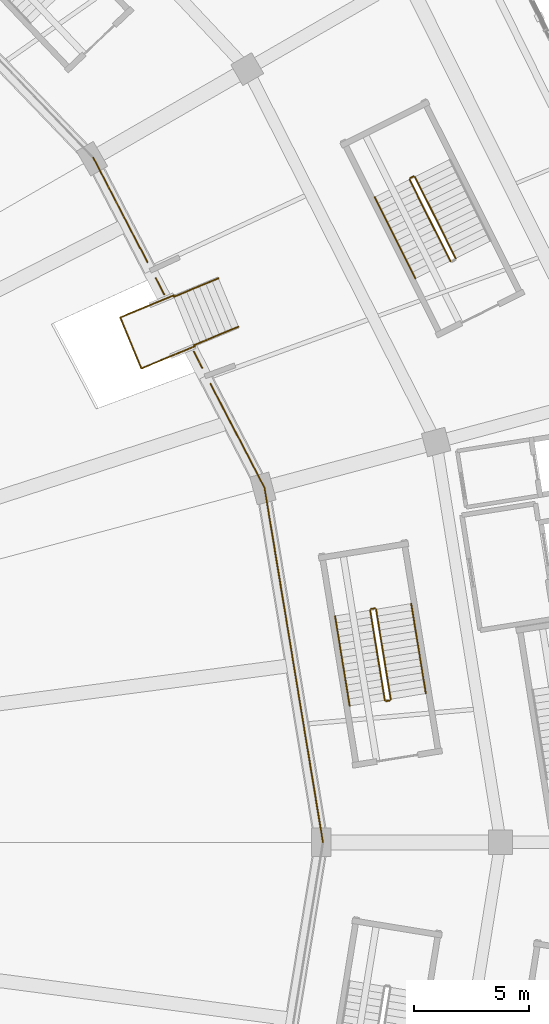
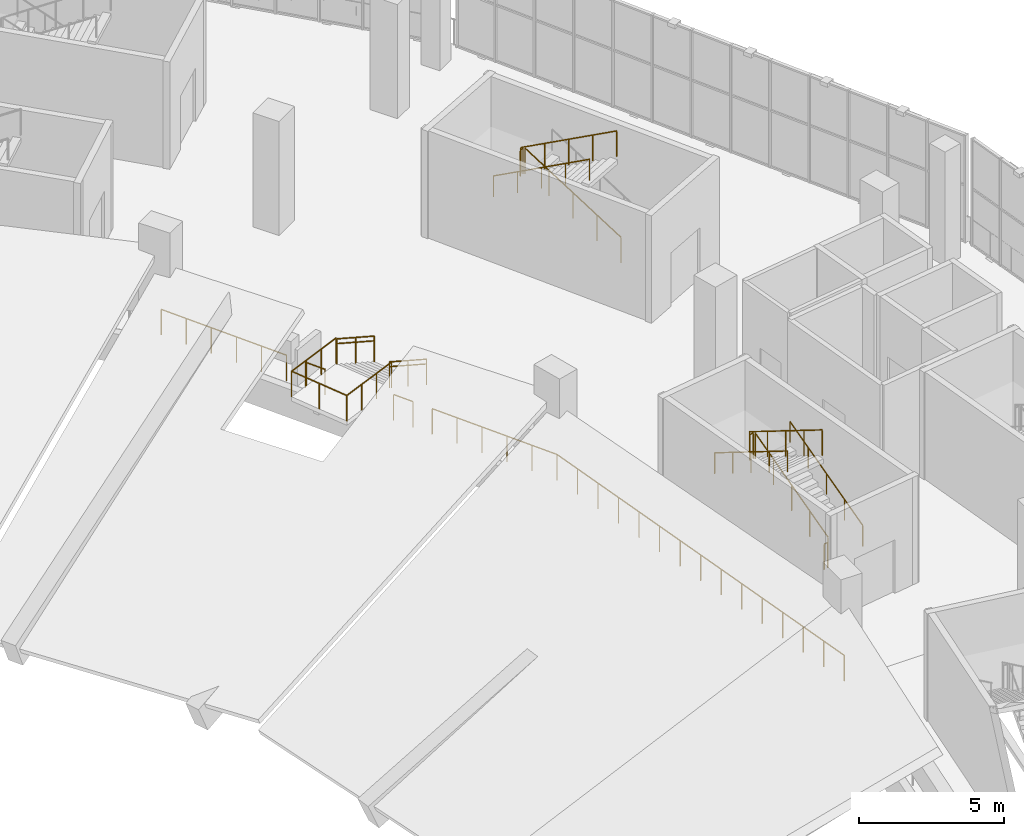
# One storey, part 153 of 183: 22 railings.
"""IFC4 building model written with IfcOpenShell, lengths in metres."""

from ifc_helpers import new_model, si_unit, direction, frame, origin, origin_2d, place, context, subcontext, project, spatial, circle, extrude, material, type_object, element, save


model = new_model("IFC4")

# Units and contexts
model_context = context("Model", 3, precision=1e-05, world=origin(), true_north=direction((0.0, 1.0)))
body_context = subcontext(model_context, "Body", "Model", "MODEL_VIEW")
ifc_project = project(units=[si_unit("LENGTHUNIT", "METRE"), si_unit("AREAUNIT", "SQUARE_METRE"), si_unit("VOLUMEUNIT", "CUBIC_METRE"), si_unit("PLANEANGLEUNIT", "RADIAN"), si_unit("MASSUNIT", "GRAM", prefix="KILO")], contexts=[model_context])

# Site, building, storey
site_placement = place(None, origin())
site = spatial("IfcSite", under=ifc_project, at=site_placement, CompositionType="ELEMENT")
building_placement = place(site_placement, origin())
building = spatial("IfcBuilding", under=site, at=building_placement, Name="Zevraka Park Crest Stadium", CompositionType="ELEMENT")
storey_placement = place(building_placement, frame((0.0, 0.0, 5.39990234375)))
storey = spatial("IfcBuildingStorey", under=building, at=storey_placement, Name="L01", CompositionType="ELEMENT", Elevation=5.39990234375)

# Railings
ifc_material_1 = material(Name="Galvanised and bronze-finished steel balustrade", Category="steel")
railing_type_1 = type_object("IfcRailingType", Name="GR01", PredefinedType="GUARDRAIL", material=ifc_material_1)
railing_1_placement = place(storey_placement, frame((186.569091796875, 91.9970703125, 0.0)))
element("IfcRailing", 1, at=railing_1_placement, inside=storey, type_object=railing_type_1, Name="Deck Edge Protection Guardrail GR01 L01-76", PredefinedType="GUARDRAIL", context=body_context, shape_type="SweptSolid", body=[
    extrude(circle(Radius=0.02392578125, at=origin_2d()), frame((0.0, 0.0, 1.076171875), z_axis=(-0.162523419979, 0.986704686296, 0.0), x_axis=(-0.986704686296, -0.162523419979, 0.0)), (0.0, 0.0, 1.0), 15.622802734375),
    extrude(circle(Radius=0.02099609375, at=origin_2d()), origin(), (0.0, 0.0, 1.0), 1.052001953125),
    extrude(circle(Radius=0.02099609375, at=origin_2d()), frame((-0.181396484375, 1.10107421875, 0.0)), (0.0, 0.0, 1.0), 1.052001953125),
    extrude(circle(Radius=0.02099609375, at=origin_2d()), frame((-0.36279296875, 2.2021484375, 0.0)), (0.0, 0.0, 1.0), 1.052001953125),
    extrude(circle(Radius=0.02099609375, at=origin_2d()), frame((-0.544189453125, 3.30322265625, 0.0)), (0.0, 0.0, 1.0), 1.052001953125),
    extrude(circle(Radius=0.02099609375, at=origin_2d()), frame((-0.725341796875, 4.404296875, 0.0)), (0.0, 0.0, 1.0), 1.052001953125),
    extrude(circle(Radius=0.02099609375, at=origin_2d()), frame((-0.90673828125, 5.50537109375, 0.0)), (0.0, 0.0, 1.0), 1.052001953125),
    extrude(circle(Radius=0.02099609375, at=origin_2d()), frame((-1.088134765625, 6.6064453125, 0.0)), (0.0, 0.0, 1.0), 1.052001953125),
    extrude(circle(Radius=0.02099609375, at=origin_2d()), frame((-1.26953125, 7.70751953125, 0.0)), (0.0, 0.0, 1.0), 1.052001953125),
    extrude(circle(Radius=0.02099609375, at=origin_2d()), frame((-1.450927734375, 8.80859375, 0.0)), (0.0, 0.0, 1.0), 1.052001953125),
    extrude(circle(Radius=0.02099609375, at=origin_2d()), frame((-1.63232421875, 9.90966796875, 0.0)), (0.0, 0.0, 1.0), 1.052001953125),
    extrude(circle(Radius=0.02099609375, at=origin_2d()), frame((-1.813720703125, 11.0107421875, 0.0)), (0.0, 0.0, 1.0), 1.052001953125),
    extrude(circle(Radius=0.02099609375, at=origin_2d()), frame((-1.994873046875, 12.11181640625, 0.0)), (0.0, 0.0, 1.0), 1.052001953125),
    extrude(circle(Radius=0.02099609375, at=origin_2d()), frame((-2.17626953125, 13.212890625, 0.0)), (0.0, 0.0, 1.0), 1.052001953125),
    extrude(circle(Radius=0.02099609375, at=origin_2d()), frame((-2.357666015625, 14.31396484375, 0.0)), (0.0, 0.0, 1.0), 1.052001953125),
    extrude(circle(Radius=0.02099609375, at=origin_2d()), frame((-2.5390625, 15.4150390625, 0.0)), (0.0, 0.0, 1.0), 1.052001953125),
])
railing_2_placement = place(storey_placement, frame((184.030029296875, 107.412109375, 0.0)))
element("IfcRailing", 2, at=railing_2_placement, inside=storey, type_object=railing_type_1, Name="Deck Edge Protection Guardrail GR01 L01-77", PredefinedType="GUARDRAIL", context=body_context, shape_type="SweptSolid", body=[
    extrude(circle(Radius=0.02392578125, at=origin_2d()), frame((0.0, 0.0, 1.076171875), z_axis=(-0.459846182359, 0.887998585905, 0.0), x_axis=(-0.887998585905, -0.459846182359, 0.0)), (0.0, 0.0, 1.0), 5.11474609375),
    extrude(circle(Radius=0.02099609375, at=origin_2d()), origin(), (0.0, 0.0, 1.0), 1.052001953125),
    extrude(circle(Radius=0.02099609375, at=origin_2d()), frame((-0.470458984375, 0.908447265625, 0.0)), (0.0, 0.0, 1.0), 1.052001953125),
    extrude(circle(Radius=0.02099609375, at=origin_2d()), frame((-0.94091796875, 1.81689453125, 0.0)), (0.0, 0.0, 1.0), 1.052001953125),
    extrude(circle(Radius=0.02099609375, at=origin_2d()), frame((-1.4111328125, 2.72509765625, 0.0)), (0.0, 0.0, 1.0), 1.052001953125),
    extrude(circle(Radius=0.02099609375, at=origin_2d()), frame((-1.881591796875, 3.633544921875, 0.0)), (0.0, 0.0, 1.0), 1.052001953125),
    extrude(circle(Radius=0.02099609375, at=origin_2d()), frame((-2.35205078125, 4.5419921875, 0.0)), (0.0, 0.0, 1.0), 1.052001953125),
])
railing_3_placement = place(storey_placement, frame((181.31591796875, 112.652099609375, 0.0)))
element("IfcRailing", 3, at=railing_3_placement, inside=storey, type_object=railing_type_1, Name="Deck Edge Protection Guardrail GR01 L01-78", PredefinedType="GUARDRAIL", context=body_context, shape_type="SweptSolid", body=[
    extrude(circle(Radius=0.02392578125, at=origin_2d()), frame((0.0, 0.0, 1.076171875), z_axis=(-0.460380253087, 0.88772181598, 0.0), x_axis=(-0.88772181598, -0.460380253087, 0.0)), (0.0, 0.0, 1.0), 0.790771484375),
    extrude(circle(Radius=0.02099609375, at=origin_2d()), origin(), (0.0, 0.0, 1.0), 1.052001953125),
    extrude(circle(Radius=0.02099609375, at=origin_2d()), frame((-0.364013671875, 0.701904296875, 0.0)), (0.0, 0.0, 1.0), 1.052001953125),
])
railing_4_placement = place(storey_placement, frame((179.657958984375, 115.84912109375, 0.0)))
element("IfcRailing", 4, at=railing_4_placement, inside=storey, type_object=railing_type_1, Name="Deck Edge Protection Guardrail GR01 L01-79", PredefinedType="GUARDRAIL", context=body_context, shape_type="SweptSolid", body=[
    extrude(circle(Radius=0.02392578125, at=origin_2d()), frame((0.0, 0.0, 1.076171875), z_axis=(-0.46081061424, 0.887498494536, 0.0), x_axis=(-0.887498494536, -0.46081061424, 0.0)), (0.0, 0.0, 1.0), 0.794189453125),
    extrude(circle(Radius=0.02099609375, at=origin_2d()), origin(), (0.0, 0.0, 1.0), 1.052001953125),
    extrude(circle(Radius=0.02099609375, at=origin_2d()), frame((-0.365966796875, 0.704833984375, 0.0)), (0.0, 0.0, 1.0), 1.052001953125),
])
railing_5_placement = place(storey_placement, frame((178.93310546875, 117.2470703125, 0.0)))
element("IfcRailing", 5, at=railing_5_placement, inside=storey, type_object=railing_type_1, Name="Deck Edge Protection Guardrail GR01 L01-80", PredefinedType="GUARDRAIL", context=body_context, shape_type="SweptSolid", body=[
    extrude(circle(Radius=0.02392578125, at=origin_2d()), frame((0.0, 0.0, 1.076171875), z_axis=(-0.460815991799, 0.887495702357, 0.0), x_axis=(-0.887495702357, -0.460815991799, 0.0)), (0.0, 0.0, 1.0), 5.1279296875),
    extrude(circle(Radius=0.02099609375, at=origin_2d()), origin(), (0.0, 0.0, 1.0), 1.052001953125),
    extrude(circle(Radius=0.02099609375, at=origin_2d()), frame((-0.47265625, 0.91015625, 0.0)), (0.0, 0.0, 1.0), 1.052001953125),
    extrude(circle(Radius=0.02099609375, at=origin_2d()), frame((-0.9453125, 1.8203125, 0.0)), (0.0, 0.0, 1.0), 1.052001953125),
    extrude(circle(Radius=0.02099609375, at=origin_2d()), frame((-1.417724609375, 2.730712890625, 0.0)), (0.0, 0.0, 1.0), 1.052001953125),
    extrude(circle(Radius=0.02099609375, at=origin_2d()), frame((-1.890380859375, 3.640869140625, 0.0)), (0.0, 0.0, 1.0), 1.052001953125),
    extrude(circle(Radius=0.02099609375, at=origin_2d()), frame((-2.363037109375, 4.551025390625, 0.0)), (0.0, 0.0, 1.0), 1.052001953125),
])
ifc_material_2 = material(Name="Powder-coated tubular steel stairwell guard", Category="steel")
railing_type_2 = type_object("IfcRailingType", Name="GR03", PredefinedType="GUARDRAIL", material=ifc_material_2)
railing_6_placement = place(storey_placement, frame((192.3466796875, 117.413330078125, 0.171630859375)))
element("IfcRailing", 6, at=railing_6_placement, inside=storey, type_object=railing_type_2, Name="L01 ST02 stair guard 1", PredefinedType="GUARDRAIL", context=body_context, shape_type="SweptSolid", body=[
    extrude(circle(Radius=0.02392578125, at=origin_2d()), frame((0.0, 0.0, 1.076171875), z_axis=(-0.390499471061, 0.779388635026, 0.489962772763), x_axis=(-0.894057440576, -0.447952333346, 0.0)), (0.0, 0.0, 1.0), 4.54833984375),
    extrude(circle(Radius=0.02099609375, at=origin_2d()), origin(), (0.0, 0.0, 1.0), 1.052001953125),
    extrude(circle(Radius=0.02099609375, at=origin_2d()), frame((-0.444091796875, 0.88623046875, 0.55712890625)), (0.0, 0.0, 1.0), 1.052001953125),
    extrude(circle(Radius=0.02099609375, at=origin_2d()), frame((-0.88818359375, 1.7724609375, 1.1142578125)), (0.0, 0.0, 1.0), 1.052001953125),
    extrude(circle(Radius=0.02099609375, at=origin_2d()), frame((-1.33203125, 2.65869140625, 1.67138671875)), (0.0, 0.0, 1.0), 1.052001953125),
    extrude(circle(Radius=0.02099609375, at=origin_2d()), frame((-1.776123046875, 3.544921875, 2.228515625)), (0.0, 0.0, 1.0), 1.052001953125),
])
railing_7_placement = place(storey_placement, frame((190.50341796875, 120.980712890625, 2.400146484375)))
element("IfcRailing", 7, at=railing_7_placement, inside=storey, type_object=railing_type_2, Name="L01 ST02 stair guard 2", PredefinedType="GUARDRAIL", context=body_context, shape_type="SweptSolid", body=[
    extrude(circle(Radius=0.02392578125, at=origin_2d()), frame((0.0, 0.0, 1.076171875), z_axis=(-0.893816245171, -0.44843340628, 0.0), x_axis=(0.44843340628, -0.893816245171, 0.0)), (0.0, 0.0, 1.0), 0.16015625),
    extrude(circle(Radius=0.02099609375, at=origin_2d()), origin(), (0.0, 0.0, 1.0), 1.052001953125),
    extrude(circle(Radius=0.02099609375, at=origin_2d()), frame((-0.14306640625, -0.07177734375, 0.0)), (0.0, 0.0, 1.0), 1.052001953125),
])
railing_8_placement = place(storey_placement, frame((190.338134765625, 120.841796875, 2.571533203125)))
element("IfcRailing", 8, at=railing_8_placement, inside=storey, type_object=railing_type_2, Name="L01 ST02 stair guard 3", PredefinedType="GUARDRAIL", context=body_context, shape_type="SweptSolid", body=[
    extrude(circle(Radius=0.02392578125, at=origin_2d()), frame((0.0, 0.0, 1.076171875), z_axis=(0.39045397791, -0.779404971028, 0.489973042393), x_axis=(0.894082100069, 0.447903112666, 0.0)), (0.0, 0.0, 1.0), 4.54833984375),
    extrude(circle(Radius=0.02099609375, at=origin_2d()), origin(), (0.0, 0.0, 1.0), 1.052001953125),
    extrude(circle(Radius=0.02099609375, at=origin_2d()), frame((0.44384765625, -0.88623046875, 0.55712890625)), (0.0, 0.0, 1.0), 1.052001953125),
    extrude(circle(Radius=0.02099609375, at=origin_2d()), frame((0.887939453125, -1.7724609375, 1.1142578125)), (0.0, 0.0, 1.0), 1.052001953125),
    extrude(circle(Radius=0.02099609375, at=origin_2d()), frame((1.33203125, -2.65869140625, 1.67138671875)), (0.0, 0.0, 1.0), 1.052001953125),
    extrude(circle(Radius=0.02099609375, at=origin_2d()), frame((1.77587890625, -3.544921875, 2.228515625)), (0.0, 0.0, 1.0), 1.052001953125),
])
railing_9_placement = place(storey_placement, frame((189.51806640625, 98.22705078125, 0.171630859375)))
element("IfcRailing", 9, at=railing_9_placement, inside=storey, type_object=railing_type_2, Name="L01 ST33 stair guard 1", PredefinedType="GUARDRAIL", context=body_context, shape_type="SweptSolid", body=[
    extrude(circle(Radius=0.02392578125, at=origin_2d()), frame((0.0, 0.0, 1.076171875), z_axis=(-0.140099761866, 0.860405778907, 0.489973420043), x_axis=(-0.987001137569, -0.160713267768, 0.0)), (0.0, 0.0, 1.0), 4.54833984375),
    extrude(circle(Radius=0.02099609375, at=origin_2d()), origin(), (0.0, 0.0, 1.0), 1.052001953125),
    extrude(circle(Radius=0.02099609375, at=origin_2d()), frame((-0.1591796875, 0.978271484375, 0.55712890625)), (0.0, 0.0, 1.0), 1.052001953125),
    extrude(circle(Radius=0.02099609375, at=origin_2d()), frame((-0.318603515625, 1.95654296875, 1.1142578125)), (0.0, 0.0, 1.0), 1.052001953125),
    extrude(circle(Radius=0.02099609375, at=origin_2d()), frame((-0.47802734375, 2.93505859375, 1.67138671875)), (0.0, 0.0, 1.0), 1.052001953125),
    extrude(circle(Radius=0.02099609375, at=origin_2d()), frame((-0.63720703125, 3.913330078125, 2.228515625)), (0.0, 0.0, 1.0), 1.052001953125),
])
railing_10_placement = place(storey_placement, frame((188.823486328125, 102.181884765625, 2.400146484375)))
element("IfcRailing", 10, at=railing_10_placement, inside=storey, type_object=railing_type_2, Name="L01 ST33 stair guard 2", PredefinedType="GUARDRAIL", context=body_context, shape_type="SweptSolid", body=[
    extrude(circle(Radius=0.02392578125, at=origin_2d()), frame((0.0, 0.0, 1.076171875), z_axis=(-0.986843627435, -0.161677626751, 0.0), x_axis=(0.161677626751, -0.986843627435, 0.0)), (0.0, 0.0, 1.0), 0.16015625),
    extrude(circle(Radius=0.02099609375, at=origin_2d()), origin(), (0.0, 0.0, 1.0), 1.052001953125),
    extrude(circle(Radius=0.02099609375, at=origin_2d()), frame((-0.157958984375, -0.02587890625, 0.0)), (0.0, 0.0, 1.0), 1.052001953125),
])
railing_11_placement = place(storey_placement, frame((188.624267578125, 102.0986328125, 2.571533203125)))
element("IfcRailing", 11, at=railing_11_placement, inside=storey, type_object=railing_type_2, Name="L01 ST33 stair guard 3", PredefinedType="GUARDRAIL", context=body_context, shape_type="SweptSolid", body=[
    extrude(circle(Radius=0.02392578125, at=origin_2d()), frame((0.0, 0.0, 1.076171875), z_axis=(0.140099761866, -0.860405778907, 0.489973420043), x_axis=(0.987001137569, 0.160713267768, 0.0)), (0.0, 0.0, 1.0), 4.54833984375),
    extrude(circle(Radius=0.02099609375, at=origin_2d()), origin(), (0.0, 0.0, 1.0), 1.052001953125),
    extrude(circle(Radius=0.02099609375, at=origin_2d()), frame((0.1591796875, -0.978271484375, 0.55712890625)), (0.0, 0.0, 1.0), 1.052001953125),
    extrude(circle(Radius=0.02099609375, at=origin_2d()), frame((0.318603515625, -1.95654296875, 1.1142578125)), (0.0, 0.0, 1.0), 1.052001953125),
    extrude(circle(Radius=0.02099609375, at=origin_2d()), frame((0.47802734375, -2.93505859375, 1.67138671875)), (0.0, 0.0, 1.0), 1.052001953125),
    extrude(circle(Radius=0.02099609375, at=origin_2d()), frame((0.63720703125, -3.913330078125, 2.228515625)), (0.0, 0.0, 1.0), 1.052001953125),
])
railing_12_placement = place(storey_placement, frame((189.476806640625, 98.169677734375, 0.0)))
element("IfcRailing", 12, at=railing_12_placement, inside=storey, type_object=railing_type_2, Name="L01 ST33 stair guard 4", PredefinedType="GUARDRAIL", context=body_context, shape_type="SweptSolid", body=[
    extrude(circle(Radius=0.02392578125, at=origin_2d()), frame((0.0, 0.0, 1.076171875), z_axis=(-0.987085924886, -0.160191687964, 0.0), x_axis=(0.160191687964, -0.987085924886, 0.0)), (0.0, 0.0, 1.0), 0.159912109375),
    extrude(circle(Radius=0.02099609375, at=origin_2d()), origin(), (0.0, 0.0, 1.0), 1.052001953125),
    extrude(circle(Radius=0.02099609375, at=origin_2d()), frame((-0.157958984375, -0.025634765625, 0.0)), (0.0, 0.0, 1.0), 1.052001953125),
])
railing_13_placement = place(storey_placement, frame((182.02099609375, 116.5458984375, 0.150146484375)))
element("IfcRailing", 13, at=railing_13_placement, inside=storey, type_object=railing_type_2, Name="Vomitory Flight Guard VS-01-1", PredefinedType="GUARDRAIL", context=body_context, shape_type="SweptSolid", body=[
    extrude(circle(Radius=0.02392578125, at=origin_2d()), frame((0.0, 0.0, 1.076171875), z_axis=(-0.826386606837, -0.342057079019, 0.447305411025), x_axis=(0.382451072807, -0.923975744762, 0.0)), (0.0, 0.0, 1.0), 2.347412109375),
    extrude(circle(Radius=0.02099609375, at=origin_2d()), origin(), (0.0, 0.0, 1.0), 1.052001953125),
    extrude(circle(Radius=0.02099609375, at=origin_2d()), frame((-0.969970703125, -0.4013671875, 0.52490234375)), (0.0, 0.0, 1.0), 1.052001953125),
    extrude(circle(Radius=0.02099609375, at=origin_2d()), frame((-1.93994140625, -0.802978515625, 1.050048828125)), (0.0, 0.0, 1.0), 1.052001953125),
])
railing_14_placement = place(storey_placement, frame((182.89306640625, 114.43994140625, 0.150146484375)))
element("IfcRailing", 14, at=railing_14_placement, inside=storey, type_object=railing_type_2, Name="Vomitory Flight Guard VS-01-2", PredefinedType="GUARDRAIL", context=body_context, shape_type="SweptSolid", body=[
    extrude(circle(Radius=0.02392578125, at=origin_2d()), frame((0.0, 0.0, 1.076171875), z_axis=(-0.826301957019, -0.342394909332, 0.447203311582), x_axis=(0.382806945527, -0.923828362011, 0.0)), (0.0, 0.0, 1.0), 2.34814453125),
    extrude(circle(Radius=0.02099609375, at=origin_2d()), origin(), (0.0, 0.0, 1.0), 1.052001953125),
    extrude(circle(Radius=0.02099609375, at=origin_2d()), frame((-0.97021484375, -0.40185546875, 0.52490234375)), (0.0, 0.0, 1.0), 1.052001953125),
    extrude(circle(Radius=0.02099609375, at=origin_2d()), frame((-1.940185546875, -0.803955078125, 1.050048828125)), (0.0, 0.0, 1.0), 1.052001953125),
])
railing_15_placement = place(storey_placement, frame((180.0810546875, 115.80810546875, 1.2001953125)))
element("IfcRailing", 15, at=railing_15_placement, inside=storey, type_object=railing_type_2, Name="Vomitory Landing Guard VS-01-1", PredefinedType="GUARDRAIL", context=body_context, shape_type="SweptSolid", body=[
    extrude(circle(Radius=0.02392578125, at=origin_2d()), frame((0.0, 0.0, 1.076171875), z_axis=(-0.923784652769, -0.382912412057, 0.0), x_axis=(0.382912412057, -0.923784652769, 0.0)), (0.0, 0.0, 1.0), 2.525390625),
    extrude(circle(Radius=0.02099609375, at=origin_2d()), origin(), (0.0, 0.0, 1.0), 1.052001953125),
    extrude(circle(Radius=0.02099609375, at=origin_2d()), frame((-0.777587890625, -0.322265625, 0.0)), (0.0, 0.0, 1.0), 1.052001953125),
    extrude(circle(Radius=0.02099609375, at=origin_2d()), frame((-1.555419921875, -0.644775390625, 0.0)), (0.0, 0.0, 1.0), 1.052001953125),
    extrude(circle(Radius=0.02099609375, at=origin_2d()), frame((-2.3330078125, -0.967041015625, 0.0)), (0.0, 0.0, 1.0), 1.052001953125),
])
railing_16_placement = place(storey_placement, frame((177.748046875, 114.841064453125, 1.2001953125)))
element("IfcRailing", 16, at=railing_16_placement, inside=storey, type_object=railing_type_2, Name="Vomitory Landing Guard VS-01-2", PredefinedType="GUARDRAIL", context=body_context, shape_type="SweptSolid", body=[
    extrude(circle(Radius=0.02392578125, at=origin_2d()), frame((0.0, 0.0, 1.076171875), z_axis=(0.382555476978, -0.923932522988, 0.0), x_axis=(0.923932522988, 0.382555476978, 0.0)), (0.0, 0.0, 1.0), 2.399658203125),
    extrude(circle(Radius=0.02099609375, at=origin_2d()), origin(), (0.0, 0.0, 1.0), 1.052001953125),
    extrude(circle(Radius=0.02099609375, at=origin_2d()), frame((0.458984375, -1.1083984375, 0.0)), (0.0, 0.0, 1.0), 1.052001953125),
    extrude(circle(Radius=0.02099609375, at=origin_2d()), frame((0.91796875, -2.217041015625, 0.0)), (0.0, 0.0, 1.0), 1.052001953125),
])
railing_17_placement = place(storey_placement, frame((178.666015625, 112.6240234375, 1.2001953125)))
element("IfcRailing", 17, at=railing_17_placement, inside=storey, type_object=railing_type_2, Name="Vomitory Landing Guard VS-01-3", PredefinedType="GUARDRAIL", context=body_context, shape_type="SweptSolid", body=[
    extrude(circle(Radius=0.02392578125, at=origin_2d()), frame((0.0, 0.0, 1.076171875), z_axis=(0.923921394748, 0.382582352346, 0.0), x_axis=(-0.382582352346, 0.923921394748, 0.0)), (0.0, 0.0, 1.0), 2.525146484375),
    extrude(circle(Radius=0.02099609375, at=origin_2d()), origin(), (0.0, 0.0, 1.0), 1.052001953125),
    extrude(circle(Radius=0.02099609375, at=origin_2d()), frame((0.777587890625, 0.322021484375, 0.0)), (0.0, 0.0, 1.0), 1.052001953125),
    extrude(circle(Radius=0.02099609375, at=origin_2d()), frame((1.555419921875, 0.64404296875, 0.0)), (0.0, 0.0, 1.0), 1.052001953125),
    extrude(circle(Radius=0.02099609375, at=origin_2d()), frame((2.3330078125, 0.966064453125, 0.0)), (0.0, 0.0, 1.0), 1.052001953125),
])
ifc_material_3 = material(Name="Brushed stainless steel continuous handrail", Category="steel")
railing_type_3 = type_object("IfcRailingType", Name="HR01", PredefinedType="HANDRAIL", material=ifc_material_3)
railing_18_placement = place(storey_placement, frame((188.818115234375, 120.080322265625, 2.571533203125)))
element("IfcRailing", 18, at=railing_18_placement, inside=storey, type_object=railing_type_3, Name="L01 ST02 stair handrail 2", PredefinedType="HANDRAIL", context=body_context, shape_type="SweptSolid", body=[
    extrude(circle(Radius=0.02392578125, at=origin_2d()), frame((0.0, 0.0, 0.8759765625), z_axis=(0.390499471061, -0.779388635026, 0.489962772763), x_axis=(0.894057440576, 0.447952333346, 0.0)), (0.0, 0.0, 1.0), 4.54833984375),
    extrude(circle(Radius=0.02099609375, at=origin_2d()), origin(), (0.0, 0.0, 1.0), 0.851806640625),
    extrude(circle(Radius=0.02099609375, at=origin_2d()), frame((0.444091796875, -0.88623046875, 0.55712890625)), (0.0, 0.0, 1.0), 0.851806640625),
    extrude(circle(Radius=0.02099609375, at=origin_2d()), frame((0.88818359375, -1.7724609375, 1.1142578125)), (0.0, 0.0, 1.0), 0.851806640625),
    extrude(circle(Radius=0.02099609375, at=origin_2d()), frame((1.33203125, -2.65869140625, 1.67138671875)), (0.0, 0.0, 1.0), 0.851806640625),
    extrude(circle(Radius=0.02099609375, at=origin_2d()), frame((1.776123046875, -3.544921875, 2.228515625)), (0.0, 0.0, 1.0), 0.851806640625),
])
railing_19_placement = place(storey_placement, frame((191.0478515625, 98.47607421875, 0.171630859375)))
element("IfcRailing", 19, at=railing_19_placement, inside=storey, type_object=railing_type_3, Name="L01 ST33 stair handrail 1", PredefinedType="HANDRAIL", context=body_context, shape_type="SweptSolid", body=[
    extrude(circle(Radius=0.02392578125, at=origin_2d()), frame((0.0, 0.0, 0.8759765625), z_axis=(-0.140093291616, 0.860419718238, 0.489950791521), x_axis=(-0.987002727855, -0.160703500917, 0.0)), (0.0, 0.0, 1.0), 4.54833984375),
    extrude(circle(Radius=0.02099609375, at=origin_2d()), origin(), (0.0, 0.0, 1.0), 0.851806640625),
    extrude(circle(Radius=0.02099609375, at=origin_2d()), frame((-0.1591796875, 0.978515625, 0.55712890625)), (0.0, 0.0, 1.0), 0.851806640625),
    extrude(circle(Radius=0.02099609375, at=origin_2d()), frame((-0.318603515625, 1.956787109375, 1.1142578125)), (0.0, 0.0, 1.0), 0.851806640625),
    extrude(circle(Radius=0.02099609375, at=origin_2d()), frame((-0.47802734375, 2.93505859375, 1.67138671875)), (0.0, 0.0, 1.0), 0.851806640625),
    extrude(circle(Radius=0.02099609375, at=origin_2d()), frame((-0.63720703125, 3.91357421875, 2.228515625)), (0.0, 0.0, 1.0), 0.851806640625),
])
railing_20_placement = place(storey_placement, frame((187.094482421875, 101.849609375, 2.571533203125)))
element("IfcRailing", 20, at=railing_20_placement, inside=storey, type_object=railing_type_3, Name="L01 ST33 stair handrail 2", PredefinedType="HANDRAIL", context=body_context, shape_type="SweptSolid", body=[
    extrude(circle(Radius=0.02392578125, at=origin_2d()), frame((0.0, 0.0, 0.8759765625), z_axis=(0.140093291616, -0.860419718238, 0.489950791521), x_axis=(0.987002727855, 0.160703500917, 0.0)), (0.0, 0.0, 1.0), 4.54833984375),
    extrude(circle(Radius=0.02099609375, at=origin_2d()), origin(), (0.0, 0.0, 1.0), 0.851806640625),
    extrude(circle(Radius=0.02099609375, at=origin_2d()), frame((0.1591796875, -0.978515625, 0.55712890625)), (0.0, 0.0, 1.0), 0.851806640625),
    extrude(circle(Radius=0.02099609375, at=origin_2d()), frame((0.318603515625, -1.956787109375, 1.1142578125)), (0.0, 0.0, 1.0), 0.851806640625),
    extrude(circle(Radius=0.02099609375, at=origin_2d()), frame((0.47802734375, -2.93505859375, 1.67138671875)), (0.0, 0.0, 1.0), 0.851806640625),
    extrude(circle(Radius=0.02099609375, at=origin_2d()), frame((0.63720703125, -3.91357421875, 2.228515625)), (0.0, 0.0, 1.0), 0.851806640625),
])
railing_21_placement = place(storey_placement, frame((182.02099609375, 116.5458984375, 0.150146484375)))
element("IfcRailing", 21, at=railing_21_placement, inside=storey, type_object=railing_type_3, Name="Vomitory Handrail VS-01-1", PredefinedType="HANDRAIL", context=body_context, shape_type="SweptSolid", body=[
    extrude(circle(Radius=0.02392578125, at=origin_2d()), frame((0.0, 0.0, 0.8759765625), z_axis=(-0.826386606837, -0.342057079019, 0.447305411025), x_axis=(0.382451072807, -0.923975744762, 0.0)), (0.0, 0.0, 1.0), 2.347412109375),
    extrude(circle(Radius=0.02099609375, at=origin_2d()), origin(), (0.0, 0.0, 1.0), 0.851806640625),
    extrude(circle(Radius=0.02099609375, at=origin_2d()), frame((-0.969970703125, -0.4013671875, 0.52490234375)), (0.0, 0.0, 1.0), 0.851806640625),
    extrude(circle(Radius=0.02099609375, at=origin_2d()), frame((-1.93994140625, -0.802978515625, 1.050048828125)), (0.0, 0.0, 1.0), 0.851806640625),
])
railing_22_placement = place(storey_placement, frame((182.89306640625, 114.43994140625, 0.150146484375)))
element("IfcRailing", 22, at=railing_22_placement, inside=storey, type_object=railing_type_3, Name="Vomitory Handrail VS-01-2", PredefinedType="HANDRAIL", context=body_context, shape_type="SweptSolid", body=[
    extrude(circle(Radius=0.02392578125, at=origin_2d()), frame((0.0, 0.0, 0.8759765625), z_axis=(-0.826301957019, -0.342394909332, 0.447203311582), x_axis=(0.382806945527, -0.923828362011, 0.0)), (0.0, 0.0, 1.0), 2.34814453125),
    extrude(circle(Radius=0.02099609375, at=origin_2d()), origin(), (0.0, 0.0, 1.0), 0.851806640625),
    extrude(circle(Radius=0.02099609375, at=origin_2d()), frame((-0.97021484375, -0.40185546875, 0.52490234375)), (0.0, 0.0, 1.0), 0.851806640625),
    extrude(circle(Radius=0.02099609375, at=origin_2d()), frame((-1.940185546875, -0.803955078125, 1.050048828125)), (0.0, 0.0, 1.0), 0.851806640625),
])

save(model, "model.ifc")
